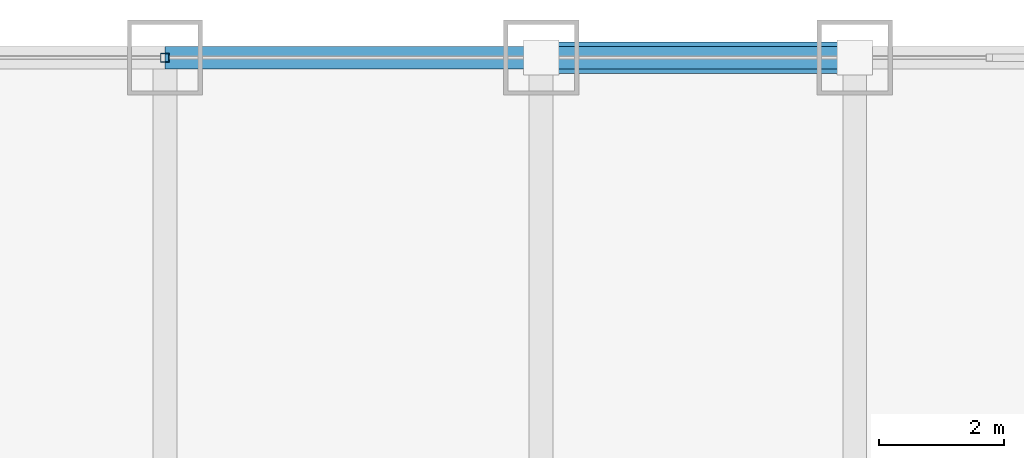
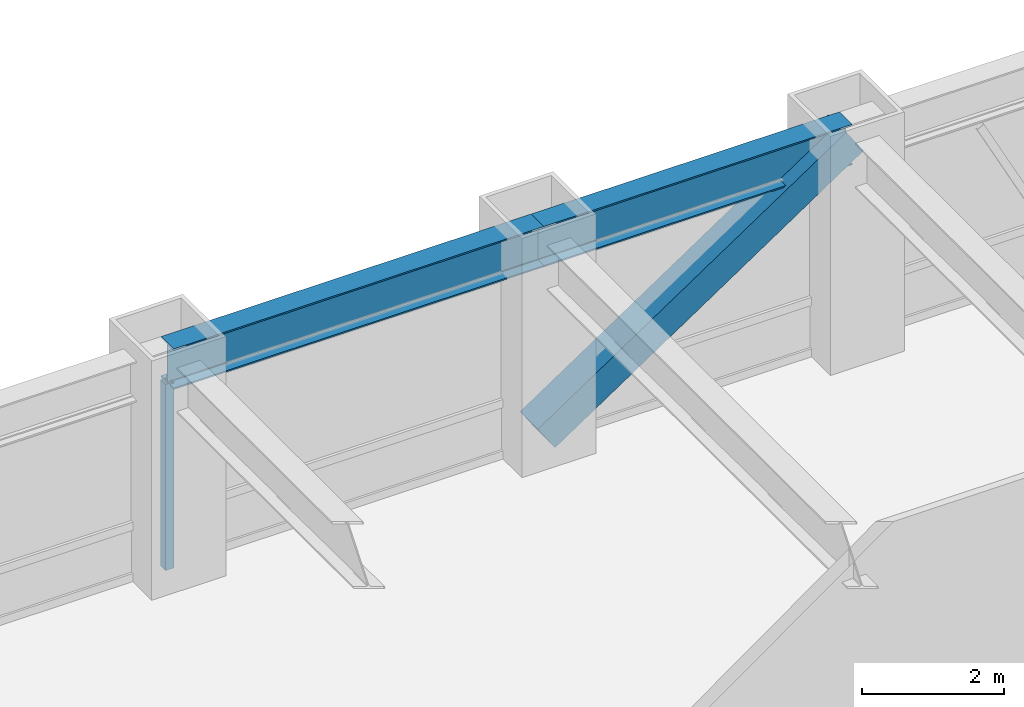
# One storey, part 19 of 27: 2 beams, 2 members, 1 element without a shape of its own.
"""IFC4 building model written with IfcOpenShell, lengths in metres."""

from ifc_helpers import new_model, si_unit, direction, frame, origin, origin_2d, place, context, subcontext, project, spatial, hollow_rectangle, i_section, extrude, source, transform, mapped, material, material_profile, profile_set, type_object, element, aggregate, save


model = new_model("IFC4")

# Units and contexts
model_context = context("Model", 3, precision=1e-05, world=origin(), true_north=direction((0.0, 1.0)))
body_context = subcontext(model_context, "Body", "Model", "MODEL_VIEW")
ifc_project = project(units=[si_unit("LENGTHUNIT", "METRE"), si_unit("AREAUNIT", "SQUARE_METRE"), si_unit("VOLUMEUNIT", "CUBIC_METRE"), si_unit("PLANEANGLEUNIT", "RADIAN"), si_unit("MASSUNIT", "GRAM", prefix="KILO")], contexts=[model_context])

# Site, building, storey
site_placement = place(None, origin())
site = spatial("IfcSite", under=ifc_project, at=site_placement, CompositionType="ELEMENT")
building_placement = place(site_placement, origin())
building = spatial("IfcBuilding", under=site, at=building_placement, Name="Khorayat Bourse Tower", CompositionType="ELEMENT")
storey_placement = place(building_placement, frame((0.0, 0.0, 111.89990234375)))
storey = spatial("IfcBuildingStorey", under=building, at=storey_placement, Name="L25", CompositionType="ELEMENT", Elevation=111.89990234375)

# Beams
ifc_material_1 = material(Name="Steel ASTM A992 Grade 50", Category="steel")
ifc_material_profile_1 = material_profile(ifc_material_1, i_section(OverallWidth=0.35498046875, OverallDepth=0.695068359375, WebThickness=0.015380859375, FlangeThickness=0.02490234375, FilletRadius=0.01806640625, at=origin_2d()), Name="W690X217")
ifc_profile_set_1 = profile_set([ifc_material_profile_1], Name="Steel ASTM A992 Grade 50")
beam_type = type_object("IfcBeamType", Name="BM-SPAN-690", PredefinedType="SPANDREL", material=ifc_profile_set_1)
shared_shape_1 = source(origin(), body_context, "Body", "SweptSolid", [
    extrude(i_section(OverallWidth=0.35498046875, OverallDepth=0.695068359375, WebThickness=0.015380859375, FlangeThickness=0.02490234375, FilletRadius=0.01806640625, at=origin_2d()), origin(), (0.0, 0.0, 1.0), 5.0),
])
beam_1_placement = place(storey_placement, frame((6.0, 32.0, 3.49267578125), z_axis=(1.0, 0.0, 0.0), x_axis=(0.0, 1.0, 0.0)))
element("IfcBeam", 1, at=beam_1_placement, inside=storey, type_object=beam_type, Name="L25 BM-SPAN-690 BM-L25-SPN-046", PredefinedType="SPANDREL", context=body_context, shape_type="MappedRepresentation", body=[
    mapped(shared_shape_1, transform((0.0, 0.0, 0.0), scale=1.0)),
])
shared_shape_2 = source(origin(), body_context, "Body", "SweptSolid", [
    extrude(i_section(OverallWidth=0.35498046875, OverallDepth=0.695068359375, WebThickness=0.015380859375, FlangeThickness=0.02490234375, FilletRadius=0.01806640625, at=origin_2d()), origin(), (0.0, 0.0, 1.0), 6.0),
])
beam_2_placement = place(storey_placement, frame((0.0, 32.0, 3.49267578125), z_axis=(1.0, 0.0, 0.0), x_axis=(0.0, 1.0, 0.0)))
element("IfcBeam", 2, at=beam_2_placement, inside=storey, type_object=beam_type, Name="L25 BM-SPAN-690 BM-L25-SPN-047", PredefinedType="SPANDREL", context=body_context, shape_type="MappedRepresentation", body=[
    mapped(shared_shape_2, transform((0.0, 0.0, 0.0), scale=1.0)),
])

# Member
ifc_material_2 = material(Name="Steel EN 10025-4 S460M", Category="steel")
ifc_material_profile_2 = material_profile(ifc_material_2, hollow_rectangle(XDim=0.5, YDim=0.5, WallThickness=0.028076171875, at=origin_2d()), Name="HSS 500x500x28")
ifc_profile_set_2 = profile_set([ifc_material_profile_2], Name="Steel EN 10025-4 S460M")
member_type_1 = type_object("IfcMemberType", Name="MBR-TUBE-500", PredefinedType="BRACE", material=ifc_profile_set_2)
shared_shape_3 = source(origin(), body_context, "Body", "SweptSolid", [
    extrude(hollow_rectangle(XDim=0.5, YDim=0.5, WallThickness=0.028076171875, at=origin_2d()), origin(), (0.0, 0.0, 1.0), 6.012939453125),
])
member_1_placement = place(storey_placement, frame((6.0, 32.0, 0.25), z_axis=(0.831531473026, 0.0, 0.555477640745), x_axis=(0.0, 1.0, 0.0)))
element("IfcMember", 3, at=member_1_placement, inside=storey, type_object=member_type_1, Name="L25 Perimeter Tube Brace 04", PredefinedType="BRACE", context=body_context, shape_type="MappedRepresentation", body=[
    mapped(shared_shape_3, transform((0.0, 0.0, 0.0), scale=1.0)),
])

# Curtain wall, member
ifc_material_3 = material(Name="Aluminium EN AW-6063 T6", Category="aluminium")
curtain_wall_type = type_object("IfcCurtainWallType", Name="CW-SYS-02", PredefinedType="NOTDEFINED", material=ifc_material_3)
curtain_wall_placement = place(storey_placement, origin())
curtain_wall = element("IfcCurtainWall", 4, at=curtain_wall_placement, inside=storey, type_object=curtain_wall_type, Name="L25 Curtain Wall CW-L25-N1", PredefinedType="NOTDEFINED")
ifc_material_profile_3 = material_profile(ifc_material_3, hollow_rectangle(XDim=0.139892578125, YDim=0.139892578125, WallThickness=0.006103515625, at=origin_2d()), Name="ALU 140x140x6")
ifc_profile_set_3 = profile_set([ifc_material_profile_3], Name="Aluminium EN AW-6063 T6")
member_type_2 = type_object("IfcMemberType", Name="CWM-VERT-140", PredefinedType="MULLION", material=ifc_profile_set_3)
shared_shape_4 = source(origin(), body_context, "Body", "SweptSolid", [
    extrude(hollow_rectangle(XDim=0.139892578125, YDim=0.139892578125, WallThickness=0.006103515625, at=origin_2d()), origin(), (0.0, 0.0, 1.0), 3.190185546875),
])
member_2_placement = place(storey_placement, frame((0.0, 32.0, 0.0), z_axis=(0.0, 0.0, 1.0), x_axis=(0.0, 1.0, 0.0)))
member_2 = element("IfcMember", 5, at=member_2_placement, type_object=member_type_2, Name="CW-L25-N1 Vertical Mullion 2", PredefinedType="MULLION", context=body_context, shape_type="MappedRepresentation", body=[
    mapped(shared_shape_4, transform((0.0, 0.0, 0.0), scale=1.0)),
])
aggregate(curtain_wall, [member_2])

save(model, "model.ifc")
